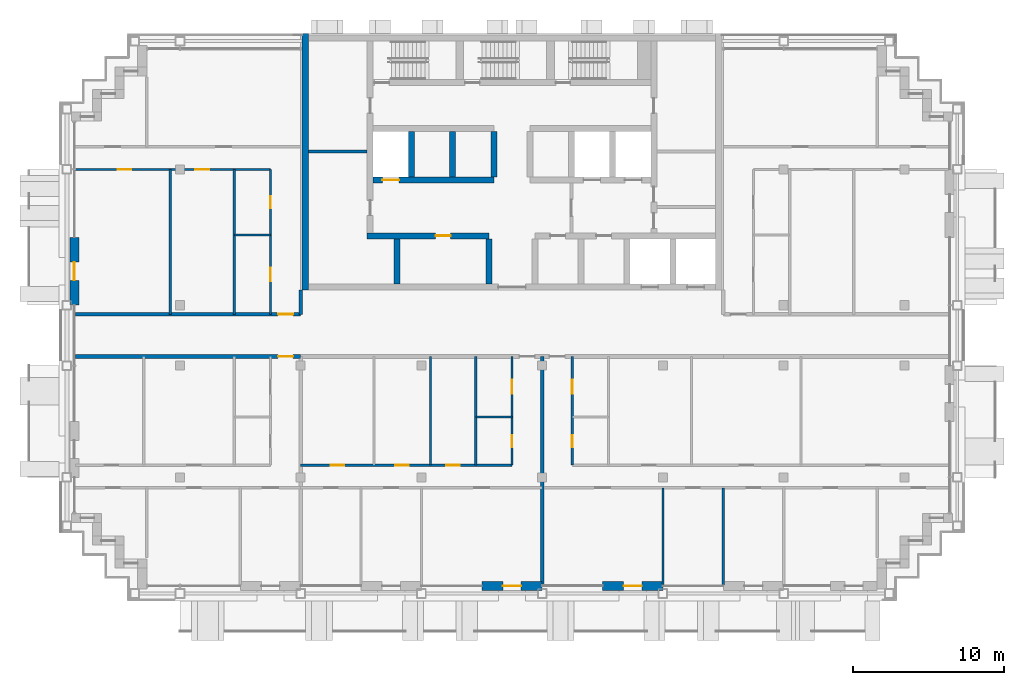
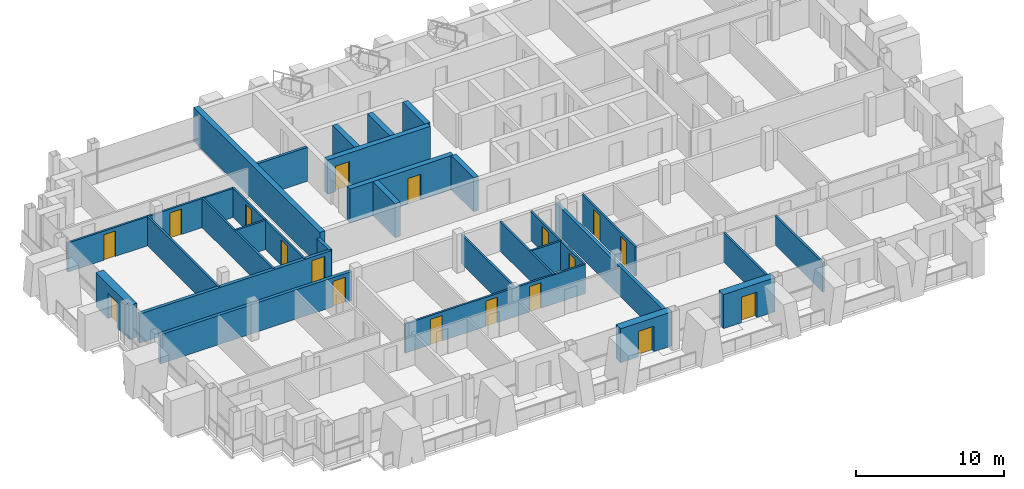
# One storey, part 8 of 15: 29 walls, 18 doors, 18 openings.
"""IFC4 building model written with IfcOpenShell, lengths in metres."""

from ifc_helpers import new_model, si_unit, direction, frame, frame_2d, origin, place, context, subcontext, project, spatial, rectangle, extrude, material, layer, layer_set, type_object, element, fill, save


model = new_model("IFC4")

# Units and contexts
model_context = context("Model", 3, precision=1e-05, world=origin(), true_north=direction((0.0, 1.0)))
body_context = subcontext(model_context, "Body", "Model", "MODEL_VIEW")
ifc_project = project(units=[si_unit("LENGTHUNIT", "METRE"), si_unit("AREAUNIT", "SQUARE_METRE"), si_unit("VOLUMEUNIT", "CUBIC_METRE"), si_unit("PLANEANGLEUNIT", "RADIAN"), si_unit("MASSUNIT", "GRAM", prefix="KILO")], contexts=[model_context])

# Site, building, storey
site_placement = place(None, origin())
site = spatial("IfcSite", under=ifc_project, at=site_placement, CompositionType="ELEMENT")
building_placement = place(site_placement, origin())
building = spatial("IfcBuilding", under=site, at=building_placement, Name="Vidyagriha Tower", CompositionType="ELEMENT")
storey_placement = place(building_placement, frame((0.0, 0.0, 236.39990234375)))
storey = spatial("IfcBuildingStorey", under=building, at=storey_placement, Name="L62", CompositionType="ELEMENT", Elevation=236.39990234375)

# Wall, opening, door
ifc_material_1 = material(Name="Precast concrete C40/50 with brick facing", Category="concrete")
ifc_layer_1 = layer(ifc_material_1, 0.60009765625)
ifc_layer_set_1 = layer_set([ifc_layer_1], Name="Precast concrete C40/50 with brick facing")
wall_type_1 = type_object("IfcWallType", Name="Brick-faced precast wall 600", PredefinedType="STANDARD", material=ifc_layer_set_1)
wall_1_placement = place(storey_placement, frame((-29.0, 6.5, 0.0), z_axis=(0.0, 0.0, 1.0), x_axis=(0.0, -1.0, 0.0)))
wall_1 = element("IfcWall", 1, at=wall_1_placement, inside=storey, type_object=wall_type_1, Name="Brick door bay wall L62 R16.3", PredefinedType="STANDARD", context=body_context, shape_type="SweptSolid", body=[
    extrude(rectangle(XDim=4.5, YDim=0.60009765625, at=frame_2d((2.25, 0.0))), origin(), (0.0, 0.0, 1.0), 2.800048828125),
])
opening_1_placement = place(wall_1_placement, frame((1.64990234375, 0.0, 0.0)))
opening_1 = element("IfcOpeningElement", 2, at=opening_1_placement, cuts=wall_1, Name="Opening D62-56", PredefinedType="OPENING", context=body_context, shape_type="SweptSolid", body=[
    extrude(rectangle(XDim=1.199951171875, YDim=2.10009765625, at=frame_2d((0.60009765625, 1.050048828125))), frame((0.0, 0.31005859375, 0.0), z_axis=(0.0, -1.0, 0.0), x_axis=(1.0, 0.0, 0.0)), (0.0, 0.0, 1.0), 0.6201171875),
])
ifc_material_2 = material(Name="Aluminium framed glazed sliding door", Category="aluminium")
door_type_1 = type_object("IfcDoorType", Name="Balcony sliding door 1200x2100", OperationType="NOTDEFINED", PredefinedType="DOOR", material=ifc_material_2)
door_1_placement = place(opening_1_placement, origin())
door_1 = element("IfcDoor", 3, at=door_1_placement, inside=storey, type_object=door_type_1, Name="Door D62-56", OperationType="SLIDING_TO_LEFT", OverallHeight=2.10009765625, OverallWidth=1.199951171875, PredefinedType="DOOR", context=body_context, shape_type="SweptSolid", body=[
    extrude(rectangle(XDim=1.199951171875, YDim=2.10009765625, at=frame_2d((0.60009765625, 1.050048828125))), frame((0.0, 0.02490234375, 0.0), z_axis=(0.0, -1.0, 0.0), x_axis=(1.0, 0.0, 0.0)), (0.0, 0.0, 1.0), 0.050048828125),
])
fill(opening_1, door_1)

wall_2_placement = place(storey_placement, frame((-2.0, -16.60009765625, 0.0)))
wall_2 = element("IfcWall", 4, at=wall_2_placement, inside=storey, type_object=wall_type_1, Name="Brick door bay wall L62 R23.7", PredefinedType="STANDARD", context=body_context, shape_type="SweptSolid", body=[
    extrude(rectangle(XDim=4.0, YDim=0.60009765625, at=frame_2d((2.0, 0.0))), origin(), (0.0, 0.0, 1.0), 2.800048828125),
])
opening_2_placement = place(wall_2_placement, frame((1.39990234375, 0.0, 0.0)))
opening_2 = element("IfcOpeningElement", 5, at=opening_2_placement, cuts=wall_2, Name="Opening D62-60", PredefinedType="OPENING", context=body_context, shape_type="SweptSolid", body=[
    extrude(rectangle(XDim=1.199951171875, YDim=2.10009765625, at=frame_2d((0.60009765625, 1.050048828125))), frame((0.0, 0.31005859375, 0.0), z_axis=(0.0, -1.0, 0.0), x_axis=(1.0, 0.0, 0.0)), (0.0, 0.0, 1.0), 0.6201171875),
])
door_2_placement = place(opening_2_placement, origin())
door_2 = element("IfcDoor", 6, at=door_2_placement, inside=storey, type_object=door_type_1, Name="Door D62-60", OperationType="SLIDING_TO_LEFT", OverallHeight=2.10009765625, OverallWidth=1.199951171875, PredefinedType="DOOR", context=body_context, shape_type="SweptSolid", body=[
    extrude(rectangle(XDim=1.199951171875, YDim=2.10009765625, at=frame_2d((0.60009765625, 1.050048828125))), frame((0.0, 0.02490234375, 0.0), z_axis=(0.0, -1.0, 0.0), x_axis=(1.0, 0.0, 0.0)), (0.0, 0.0, 1.0), 0.050048828125),
])
fill(opening_2, door_2)

wall_3_placement = place(storey_placement, frame((6.0, -16.60009765625, 0.0)))
wall_3 = element("IfcWall", 7, at=wall_3_placement, inside=storey, type_object=wall_type_1, Name="Brick door bay wall L62 R23.9", PredefinedType="STANDARD", context=body_context, shape_type="SweptSolid", body=[
    extrude(rectangle(XDim=4.0, YDim=0.60009765625, at=frame_2d((2.0, 0.0))), origin(), (0.0, 0.0, 1.0), 2.800048828125),
])
opening_3_placement = place(wall_3_placement, frame((1.39990234375, 0.0, 0.0)))
opening_3 = element("IfcOpeningElement", 8, at=opening_3_placement, cuts=wall_3, Name="Opening D62-61", PredefinedType="OPENING", context=body_context, shape_type="SweptSolid", body=[
    extrude(rectangle(XDim=1.199951171875, YDim=2.10009765625, at=frame_2d((0.60009765625, 1.050048828125))), frame((0.0, 0.31005859375, 0.0), z_axis=(0.0, -1.0, 0.0), x_axis=(1.0, 0.0, 0.0)), (0.0, 0.0, 1.0), 0.6201171875),
])
door_3_placement = place(opening_3_placement, origin())
door_3 = element("IfcDoor", 9, at=door_3_placement, inside=storey, type_object=door_type_1, Name="Door D62-61", OperationType="SLIDING_TO_LEFT", OverallHeight=2.10009765625, OverallWidth=1.199951171875, PredefinedType="DOOR", context=body_context, shape_type="SweptSolid", body=[
    extrude(rectangle(XDim=1.199951171875, YDim=2.10009765625, at=frame_2d((0.60009765625, 1.050048828125))), frame((0.0, 0.02490234375, 0.0), z_axis=(0.0, -1.0, 0.0), x_axis=(1.0, 0.0, 0.0)), (0.0, 0.0, 1.0), 0.050048828125),
])
fill(opening_3, door_3)

# Wall
ifc_material_3 = material(Name="Concrete C60/75", Category="concrete")
ifc_layer_2 = layer(ifc_material_3, 0.39990234375)
ifc_layer_set_2 = layer_set([ifc_layer_2], Name="Concrete C60/75")
wall_type_2 = type_object("IfcWallType", Name="Core shear wall 400 mm", PredefinedType="SHEAR", material=ifc_layer_set_2)
wall_4_placement = place(storey_placement, frame((-13.699951171875, 3.0, 0.0), z_axis=(0.0, 0.0, 1.0), x_axis=(0.0, 1.0, 0.0)))
element("IfcWall", 10, at=wall_4_placement, inside=storey, type_object=wall_type_2, Name="Core west wall", PredefinedType="SHEAR", context=body_context, shape_type="SweptSolid", body=[
    extrude(rectangle(XDim=17.0, YDim=0.39990234375, at=frame_2d((8.5, 0.0))), origin(), (0.0, 0.0, 1.0), 2.800048828125),
])

# Wall, opening, door
wall_5_placement = place(storey_placement, frame((-9.60009765625, 6.60009765625, 0.0)))
wall_5 = element("IfcWall", 11, at=wall_5_placement, inside=storey, type_object=wall_type_2, Name="Core lobby south wall west", PredefinedType="SHEAR", context=body_context, shape_type="SweptSolid", body=[
    extrude(rectangle(XDim=8.077880859375, YDim=0.39990234375, at=frame_2d((4.0390625, 0.0))), origin(), (0.0, 0.0, 1.0), 2.800048828125),
])
opening_4_placement = place(wall_5_placement, frame((4.533203125, 0.0, 0.0)))
opening_4 = element("IfcOpeningElement", 12, at=opening_4_placement, cuts=wall_5, Name="Opening D62-02", PredefinedType="OPENING", context=body_context, shape_type="SweptSolid", body=[
    extrude(rectangle(XDim=1.0, YDim=2.10009765625, at=frame_2d((0.5, 1.050048828125))), frame((0.0, 0.2099609375, 0.0), z_axis=(0.0, -1.0, 0.0), x_axis=(1.0, 0.0, 0.0)), (0.0, 0.0, 1.0), 0.419921875),
])
ifc_material_4 = material(Name="Hollow metal door leaf")
door_type_2 = type_object("IfcDoorType", Name="Core room door 1000 x 2100 mm EI 60", OperationType="NOTDEFINED", PredefinedType="DOOR", material=ifc_material_4)
door_4_placement = place(opening_4_placement, origin())
door_4 = element("IfcDoor", 13, at=door_4_placement, inside=storey, type_object=door_type_2, Name="Door Communications Room 62.01", OperationType="SINGLE_SWING_RIGHT", OverallHeight=2.10009765625, OverallWidth=1.0, PredefinedType="DOOR", context=body_context, shape_type="SweptSolid", body=[
    extrude(rectangle(XDim=1.0, YDim=2.10009765625, at=frame_2d((0.5, 1.050048828125))), frame((0.0, 0.02490234375, 0.0), z_axis=(0.0, -1.0, 0.0), x_axis=(1.0, 0.0, 0.0)), (0.0, 0.0, 1.0), 0.050048828125),
])
fill(opening_4, door_4)

# Walls
for number, where, z_axis, x_axis, name in (
    (14, (-7.611083984375, 3.39990234375, 0.0), (0.0, 0.0, 1.0), (0.0, 1.0, 0.0), "Core bay wall S2"),
    (15, (-1.522216796875, 3.39990234375, 0.0), (0.0, 0.0, 1.0), (0.0, 1.0, 0.0), "Core bay wall S4"),
):
    element("IfcWall", number, at=place(storey_placement, frame(where, z_axis=z_axis, x_axis=x_axis)), inside=storey, type_object=wall_type_2, Name=name, PredefinedType="SHEAR", context=body_context, shape_type="SweptSolid", body=[
        extrude(rectangle(XDim=3.0, YDim=0.39990234375, at=frame_2d((1.5, 0.0))), origin(), (0.0, 0.0, 1.0), 2.800048828125),
    ])

# Wall, opening, door
wall_6_placement = place(storey_placement, frame((-9.199951171875, 10.300048828125, 0.0)))
wall_6 = element("IfcWall", 16, at=wall_6_placement, inside=storey, type_object=wall_type_2, Name="Core row N front wall", PredefinedType="SHEAR", context=body_context, shape_type="SweptSolid", body=[
    extrude(rectangle(XDim=8.0, YDim=0.39990234375, at=frame_2d((4.0, 0.0))), origin(), (0.0, 0.0, 1.0), 2.800048828125),
])
opening_5_placement = place(wall_6_placement, frame((0.61669921875, 0.0, 0.0)))
opening_5 = element("IfcOpeningElement", 17, at=opening_5_placement, cuts=wall_6, Name="Opening LD62-03", PredefinedType="OPENING", context=body_context, shape_type="SweptSolid", body=[
    extrude(rectangle(XDim=1.10009765625, YDim=2.10009765625, at=frame_2d((0.550048828125, 1.050048828125))), frame((0.0, 0.2099609375, 0.0), z_axis=(0.0, -1.0, 0.0), x_axis=(1.0, 0.0, 0.0)), (0.0, 0.0, 1.0), 0.419921875),
])
ifc_material_5 = material(Name="Stainless steel sliding door panel", Category="steel")
door_type_3 = type_object("IfcDoorType", Name="Lift landing door 1100 x 2100 mm EI 90", OperationType="NOTDEFINED", PredefinedType="DOOR", material=ifc_material_5)
door_5_placement = place(opening_5_placement, origin())
door_5 = element("IfcDoor", 18, at=door_5_placement, inside=storey, type_object=door_type_3, Name="Landing door MR3 L62", OperationType="SLIDING_TO_LEFT", OverallHeight=2.10009765625, OverallWidth=1.10009765625, PredefinedType="DOOR", context=body_context, shape_type="SweptSolid", body=[
    extrude(rectangle(XDim=1.10009765625, YDim=2.10009765625, at=frame_2d((0.550048828125, 1.050048828125))), frame((0.0, 0.02490234375, 0.0), z_axis=(0.0, -1.0, 0.0), x_axis=(1.0, 0.0, 0.0)), (0.0, 0.0, 1.0), 0.050048828125),
])
fill(opening_5, door_5)

# Walls
for number, where, z_axis, x_axis, name in (
    (19, (-6.666748046875, 10.5, 0.0), (0.0, 0.0, 1.0), (0.0, 1.0, 0.0), "Core bay wall N1"),
    (20, (-3.933349609375, 10.5, 0.0), (0.0, 0.0, 1.0), (0.0, 1.0, 0.0), "Core bay wall N2"),
    (21, (-1.199951171875, 10.5, 0.0), (0.0, 0.0, 1.0), (0.0, 1.0, 0.0), "Core bay wall N3"),
):
    element("IfcWall", number, at=place(storey_placement, frame(where, z_axis=z_axis, x_axis=x_axis)), inside=storey, type_object=wall_type_2, Name=name, PredefinedType="SHEAR", context=body_context, shape_type="SweptSolid", body=[
        extrude(rectangle(XDim=3.0, YDim=0.39990234375, at=frame_2d((1.5, 0.0))), origin(), (0.0, 0.0, 1.0), 2.800048828125),
    ])

# Wall, opening, door
ifc_material_6 = material(Name="Fired clay brick masonry", Category="masonry")
ifc_layer_3 = layer(ifc_material_6, 0.25)
ifc_layer_set_3 = layer_set([ifc_layer_3], Name="Fired clay brick masonry")
wall_type_3 = type_object("IfcWallType", Name="Fired clay brick corridor wall 250", PredefinedType="PARTITIONING", material=ifc_layer_set_3)
wall_7_placement = place(storey_placement, frame((-14.0, -1.39990234375, 0.0), z_axis=(0.0, 0.0, 1.0), x_axis=(-1.0, 0.0, 0.0)))
wall_7 = element("IfcWall", 22, at=wall_7_placement, inside=storey, type_object=wall_type_3, Name="Wall all-L62-w059", PredefinedType="PARTITIONING", context=body_context, shape_type="SweptSolid", body=[
    extrude(rectangle(XDim=14.919921875, YDim=0.25, at=frame_2d((7.4599609375, 0.0))), origin(), (0.0, 0.0, 1.0), 2.400146484375),
])
opening_6_placement = place(wall_7_placement, frame((0.5, 0.0, 0.0)))
opening_6 = element("IfcOpeningElement", 23, at=opening_6_placement, cuts=wall_7, Name="Opening D62-21", PredefinedType="OPENING", context=body_context, shape_type="SweptSolid", body=[
    extrude(rectangle(XDim=1.0, YDim=2.10009765625, at=frame_2d((0.5, 1.050048828125))), frame((0.0, 0.135009765625, 0.0), z_axis=(0.0, -1.0, 0.0), x_axis=(1.0, 0.0, 0.0)), (0.0, 0.0, 1.0), 0.27001953125),
])
ifc_material_7 = material(Name="Fire-rated timber door leaf EI 60", Category="wood")
door_type_4 = type_object("IfcDoorType", Name="Flat entrance fire door 1000x2100", OperationType="NOTDEFINED", PredefinedType="DOOR", material=ifc_material_7)
door_6_placement = place(opening_6_placement, origin())
door_6 = element("IfcDoor", 24, at=door_6_placement, inside=storey, type_object=door_type_4, Name="Door D62-21", OperationType="SINGLE_SWING_LEFT", OverallHeight=2.10009765625, OverallWidth=1.0, PredefinedType="DOOR", context=body_context, shape_type="SweptSolid", body=[
    extrude(rectangle(XDim=1.0, YDim=2.10009765625, at=frame_2d((0.5, 1.050048828125))), frame((0.0, 0.02490234375, 0.0), z_axis=(0.0, -1.0, 0.0), x_axis=(1.0, 0.0, 0.0)), (0.0, 0.0, 1.0), 0.050048828125),
])
fill(opening_6, door_6)

wall_8_placement = place(storey_placement, frame((-28.919921875, 1.39990234375, 0.0)))
wall_8 = element("IfcWall", 25, at=wall_8_placement, inside=storey, type_object=wall_type_3, Name="Wall all-L62-w075", PredefinedType="PARTITIONING", context=body_context, shape_type="SweptSolid", body=[
    extrude(rectangle(XDim=14.919921875, YDim=0.25, at=frame_2d((7.4599609375, 0.0))), origin(), (0.0, 0.0, 1.0), 2.400146484375),
])
opening_7_placement = place(wall_8_placement, frame((13.419921875, 0.0, 0.0)))
opening_7 = element("IfcOpeningElement", 26, at=opening_7_placement, cuts=wall_8, Name="Opening D62-48", PredefinedType="OPENING", context=body_context, shape_type="SweptSolid", body=[
    extrude(rectangle(XDim=1.0, YDim=2.10009765625, at=frame_2d((0.5, 1.050048828125))), frame((0.0, 0.135009765625, 0.0), z_axis=(0.0, -1.0, 0.0), x_axis=(1.0, 0.0, 0.0)), (0.0, 0.0, 1.0), 0.27001953125),
])
door_7_placement = place(opening_7_placement, origin())
door_7 = element("IfcDoor", 27, at=door_7_placement, inside=storey, type_object=door_type_4, Name="Door D62-48", OperationType="SINGLE_SWING_RIGHT", OverallHeight=2.10009765625, OverallWidth=1.0, PredefinedType="DOOR", context=body_context, shape_type="SweptSolid", body=[
    extrude(rectangle(XDim=1.0, YDim=2.10009765625, at=frame_2d((0.5, 1.050048828125))), frame((0.0, 0.02490234375, 0.0), z_axis=(0.0, -1.0, 0.0), x_axis=(1.0, 0.0, 0.0)), (0.0, 0.0, 1.0), 0.050048828125),
])
fill(opening_7, door_7)

# Walls
wall_9_placement = place(storey_placement, frame((-14.0, 3.0, 0.0), z_axis=(0.0, 0.0, 1.0), x_axis=(0.0, -1.0, 0.0)))
element("IfcWall", 28, at=wall_9_placement, inside=storey, type_object=wall_type_3, Name="Wall all-L62-w092", PredefinedType="PARTITIONING", context=body_context, shape_type="SweptSolid", body=[
    extrude(rectangle(XDim=1.60009765625, YDim=0.25, at=frame_2d((0.800048828125, 0.0))), origin(), (0.0, 0.0, 1.0), 2.400146484375),
])
ifc_material_8 = material(Name="Fired clay brick masonry", Category="masonry")
ifc_layer_4 = layer(ifc_material_8, 0.25)
ifc_layer_set_4 = layer_set([ifc_layer_4], Name="Fired clay brick masonry")
wall_type_4 = type_object("IfcWallType", Name="Fired clay brick demising wall 250", PredefinedType="PARTITIONING", material=ifc_layer_set_4)
wall_10_placement = place(storey_placement, frame((2.0, -1.39990234375, 0.0), z_axis=(0.0, 0.0, 1.0), x_axis=(0.0, -1.0, 0.0)))
element("IfcWall", 29, at=wall_10_placement, inside=storey, type_object=wall_type_4, Name="Wall all-L62-w058", PredefinedType="PARTITIONING", context=body_context, shape_type="SweptSolid", body=[
    extrude(rectangle(XDim=15.110107421875, YDim=0.25, at=frame_2d((7.55517578125, 0.0))), origin(), (0.0, 0.0, 1.0), 2.400146484375),
])
ifc_material_9 = material(Name="Gypsum board partition")
ifc_layer_5 = layer(ifc_material_9, 0.14990234375)
ifc_layer_set_5 = layer_set([ifc_layer_5], Name="Gypsum board partition")
wall_type_5 = type_object("IfcWallType", Name="Gypsum board partition 150", PredefinedType="PARTITIONING", material=ifc_layer_set_5)
wall_11_placement = place(storey_placement, frame((0.0, -5.39990234375, 0.0), z_axis=(0.0, 0.0, 1.0), x_axis=(-1.0, 0.0, 0.0)))
element("IfcWall", 30, at=wall_11_placement, inside=storey, type_object=wall_type_5, Name="Wall all-L62-w020", PredefinedType="PARTITIONING", context=body_context, shape_type="SweptSolid", body=[
    extrude(rectangle(XDim=2.39990234375, YDim=0.14990234375, at=frame_2d((1.199951171875, 0.0))), origin(), (0.0, 0.0, 1.0), 2.400146484375),
])
for number, where, z_axis, x_axis, name in (
    (31, (-2.39990234375, -8.60009765625, 0.0), (0.0, 0.0, 1.0), (0.0, 1.0, 0.0), "Wall all-L62-w021"),
    (32, (-5.39990234375, -8.60009765625, 0.0), (0.0, 0.0, 1.0), (0.0, 1.0, 0.0), "Wall all-L62-w022"),
):
    element("IfcWall", number, at=place(storey_placement, frame(where, z_axis=z_axis, x_axis=x_axis)), inside=storey, type_object=wall_type_5, Name=name, PredefinedType="PARTITIONING", context=body_context, shape_type="SweptSolid", body=[
        extrude(rectangle(XDim=7.2001953125, YDim=0.14990234375, at=frame_2d((3.60009765625, 0.0))), origin(), (0.0, 0.0, 1.0), 2.400146484375),
    ])

# Wall, openings, doors
wall_12_placement = place(storey_placement, frame((-14.0, -8.60009765625, 0.0)))
wall_12 = element("IfcWall", 33, at=wall_12_placement, inside=storey, type_object=wall_type_5, Name="Wall all-L62-w024", PredefinedType="PARTITIONING", context=body_context, shape_type="SweptSolid", body=[
    extrude(rectangle(XDim=14.0, YDim=0.14990234375, at=frame_2d((7.0, 0.0))), origin(), (0.0, 0.0, 1.0), 2.400146484375),
])
opening_8_placement = place(wall_12_placement, frame((9.64990234375, 0.0, 0.0)))
opening_8 = element("IfcOpeningElement", 34, at=opening_8_placement, cuts=wall_12, Name="Opening D62-24", PredefinedType="OPENING", context=body_context, shape_type="SweptSolid", body=[
    extrude(rectangle(XDim=0.89990234375, YDim=2.10009765625, at=frame_2d((0.449951171875, 1.050048828125))), frame((0.0, 0.0849609375, 0.0), z_axis=(0.0, -1.0, 0.0), x_axis=(1.0, 0.0, 0.0)), (0.0, 0.0, 1.0), 0.169921875),
])
opening_9_placement = place(wall_12_placement, frame((6.27490234375, 0.0, 0.0)))
opening_9 = element("IfcOpeningElement", 35, at=opening_9_placement, cuts=wall_12, Name="Opening D62-25", PredefinedType="OPENING", context=body_context, shape_type="SweptSolid", body=[
    extrude(rectangle(XDim=0.89990234375, YDim=2.10009765625, at=frame_2d((0.449951171875, 1.050048828125))), frame((0.0, 0.0849609375, 0.0), z_axis=(0.0, -1.0, 0.0), x_axis=(1.0, 0.0, 0.0)), (0.0, 0.0, 1.0), 0.169921875),
])
opening_10_placement = place(wall_12_placement, frame((1.97509765625, 0.0, 0.0)))
opening_10 = element("IfcOpeningElement", 36, at=opening_10_placement, cuts=wall_12, Name="Opening D62-26", PredefinedType="OPENING", context=body_context, shape_type="SweptSolid", body=[
    extrude(rectangle(XDim=0.89990234375, YDim=2.10009765625, at=frame_2d((0.449951171875, 1.050048828125))), frame((0.0, 0.0849609375, 0.0), z_axis=(0.0, -1.0, 0.0), x_axis=(1.0, 0.0, 0.0)), (0.0, 0.0, 1.0), 0.169921875),
])
ifc_material_10 = material(Name="Timber door leaf", Category="wood")
door_type_5 = type_object("IfcDoorType", Name="Room door 900x2100", OperationType="NOTDEFINED", PredefinedType="DOOR", material=ifc_material_10)
door_8_placement = place(opening_8_placement, origin())
door_8 = element("IfcDoor", 37, at=door_8_placement, inside=storey, type_object=door_type_5, Name="Door D62-24", OperationType="SINGLE_SWING_LEFT", OverallHeight=2.10009765625, OverallWidth=0.89990234375, PredefinedType="DOOR", context=body_context, shape_type="SweptSolid", body=[
    extrude(rectangle(XDim=0.89990234375, YDim=2.10009765625, at=frame_2d((0.449951171875, 1.050048828125))), frame((0.0, 0.02490234375, 0.0), z_axis=(0.0, -1.0, 0.0), x_axis=(1.0, 0.0, 0.0)), (0.0, 0.0, 1.0), 0.050048828125),
])
fill(opening_8, door_8)
door_9_placement = place(opening_9_placement, origin())
door_9 = element("IfcDoor", 38, at=door_9_placement, inside=storey, type_object=door_type_5, Name="Door D62-25", OperationType="SINGLE_SWING_RIGHT", OverallHeight=2.10009765625, OverallWidth=0.89990234375, PredefinedType="DOOR", context=body_context, shape_type="SweptSolid", body=[
    extrude(rectangle(XDim=0.89990234375, YDim=2.10009765625, at=frame_2d((0.449951171875, 1.050048828125))), frame((0.0, 0.02490234375, 0.0), z_axis=(0.0, -1.0, 0.0), x_axis=(1.0, 0.0, 0.0)), (0.0, 0.0, 1.0), 0.050048828125),
])
fill(opening_9, door_9)
door_10_placement = place(opening_10_placement, origin())
door_10 = element("IfcDoor", 39, at=door_10_placement, inside=storey, type_object=door_type_5, Name="Door D62-26", OperationType="SINGLE_SWING_RIGHT", OverallHeight=2.10009765625, OverallWidth=0.89990234375, PredefinedType="DOOR", context=body_context, shape_type="SweptSolid", body=[
    extrude(rectangle(XDim=0.89990234375, YDim=2.10009765625, at=frame_2d((0.449951171875, 1.050048828125))), frame((0.0, 0.02490234375, 0.0), z_axis=(0.0, -1.0, 0.0), x_axis=(1.0, 0.0, 0.0)), (0.0, 0.0, 1.0), 0.050048828125),
])
fill(opening_10, door_10)

# Walls
wall_13_placement = place(storey_placement, frame((10.0, -10.10009765625, 0.0), z_axis=(0.0, 0.0, 1.0), x_axis=(0.0, -1.0, 0.0)))
element("IfcWall", 40, at=wall_13_placement, inside=storey, type_object=wall_type_5, Name="Wall all-L62-w053", PredefinedType="PARTITIONING", context=body_context, shape_type="SweptSolid", body=[
    extrude(rectangle(XDim=6.409912109375, YDim=0.14990234375, at=frame_2d((3.205078125, 0.0))), origin(), (0.0, 0.0, 1.0), 2.400146484375),
])
wall_14_placement = place(storey_placement, frame((14.0, -10.10009765625, 0.0), z_axis=(0.0, 0.0, 1.0), x_axis=(0.0, -1.0, 0.0)))
element("IfcWall", 41, at=wall_14_placement, inside=storey, type_object=wall_type_5, Name="Wall all-L62-w054", PredefinedType="PARTITIONING", context=body_context, shape_type="SweptSolid", body=[
    extrude(rectangle(XDim=6.4208984375, YDim=0.14990234375, at=frame_2d((3.21044921875, 0.0))), origin(), (0.0, 0.0, 1.0), 2.400146484375),
])
wall_15_placement = place(storey_placement, frame((-18.39990234375, 6.64990234375, 0.0)))
element("IfcWall", 42, at=wall_15_placement, inside=storey, type_object=wall_type_5, Name="Wall all-L62-w064", PredefinedType="PARTITIONING", context=body_context, shape_type="SweptSolid", body=[
    extrude(rectangle(XDim=2.39990234375, YDim=0.14990234375, at=frame_2d((1.199951171875, 0.0))), origin(), (0.0, 0.0, 1.0), 2.400146484375),
])
for number, where, z_axis, x_axis, name in (
    (43, (-18.39990234375, 1.39990234375, 0.0), (0.0, 0.0, 1.0), (0.0, 1.0, 0.0), "Wall all-L62-w065"),
    (44, (-22.64990234375, 1.39990234375, 0.0), (0.0, 0.0, 1.0), (0.0, 1.0, 0.0), "Wall all-L62-w066"),
):
    element("IfcWall", number, at=place(storey_placement, frame(where, z_axis=z_axis, x_axis=x_axis)), inside=storey, type_object=wall_type_5, Name=name, PredefinedType="PARTITIONING", context=body_context, shape_type="SweptSolid", body=[
        extrude(rectangle(XDim=9.60009765625, YDim=0.14990234375, at=frame_2d((4.800048828125, 0.0))), origin(), (0.0, 0.0, 1.0), 2.400146484375),
    ])

# Wall, openings, doors
wall_16_placement = place(storey_placement, frame((-16.0, 11.0, 0.0), z_axis=(0.0, 0.0, 1.0), x_axis=(-1.0, 0.0, 0.0)))
wall_16 = element("IfcWall", 45, at=wall_16_placement, inside=storey, type_object=wall_type_5, Name="Wall all-L62-w067", PredefinedType="PARTITIONING", context=body_context, shape_type="SweptSolid", body=[
    extrude(rectangle(XDim=12.919921875, YDim=0.14990234375, at=frame_2d((6.4599609375, 0.0))), origin(), (0.0, 0.0, 1.0), 2.400146484375),
])
opening_11_placement = place(wall_16_placement, frame((4.074951171875, 0.0, 0.0)))
opening_11 = element("IfcOpeningElement", 46, at=opening_11_placement, cuts=wall_16, Name="Opening D62-44", PredefinedType="OPENING", context=body_context, shape_type="SweptSolid", body=[
    extrude(rectangle(XDim=0.89990234375, YDim=2.10009765625, at=frame_2d((0.449951171875, 1.050048828125))), frame((0.0, 0.0849609375, 0.0), z_axis=(0.0, -1.0, 0.0), x_axis=(1.0, 0.0, 0.0)), (0.0, 0.0, 1.0), 0.169921875),
])
opening_12_placement = place(wall_16_placement, frame((9.22509765625, 0.0, 0.0)))
opening_12 = element("IfcOpeningElement", 47, at=opening_12_placement, cuts=wall_16, Name="Opening D62-45", PredefinedType="OPENING", context=body_context, shape_type="SweptSolid", body=[
    extrude(rectangle(XDim=0.89990234375, YDim=2.10009765625, at=frame_2d((0.449951171875, 1.050048828125))), frame((0.0, 0.0849609375, 0.0), z_axis=(0.0, -1.0, 0.0), x_axis=(1.0, 0.0, 0.0)), (0.0, 0.0, 1.0), 0.169921875),
])
door_11_placement = place(opening_11_placement, origin())
door_11 = element("IfcDoor", 48, at=door_11_placement, inside=storey, type_object=door_type_5, Name="Door D62-44", OperationType="SINGLE_SWING_RIGHT", OverallHeight=2.10009765625, OverallWidth=0.89990234375, PredefinedType="DOOR", context=body_context, shape_type="SweptSolid", body=[
    extrude(rectangle(XDim=0.89990234375, YDim=2.10009765625, at=frame_2d((0.449951171875, 1.050048828125))), frame((0.0, 0.02490234375, 0.0), z_axis=(0.0, -1.0, 0.0), x_axis=(1.0, 0.0, 0.0)), (0.0, 0.0, 1.0), 0.050048828125),
])
fill(opening_11, door_11)
door_12_placement = place(opening_12_placement, origin())
door_12 = element("IfcDoor", 49, at=door_12_placement, inside=storey, type_object=door_type_5, Name="Door D62-45", OperationType="SINGLE_SWING_RIGHT", OverallHeight=2.10009765625, OverallWidth=0.89990234375, PredefinedType="DOOR", context=body_context, shape_type="SweptSolid", body=[
    extrude(rectangle(XDim=0.89990234375, YDim=2.10009765625, at=frame_2d((0.449951171875, 1.050048828125))), frame((0.0, 0.02490234375, 0.0), z_axis=(0.0, -1.0, 0.0), x_axis=(1.0, 0.0, 0.0)), (0.0, 0.0, 1.0), 0.050048828125),
])
fill(opening_12, door_12)

ifc_material_11 = material(Name="Moisture resistant gypsum board partition")
ifc_layer_6 = layer(ifc_material_11, 0.14990234375)
ifc_layer_set_6 = layer_set([ifc_layer_6], Name="Moisture resistant gypsum board partition")
wall_type_6 = type_object("IfcWallType", Name="Gypsum board wet-area partition 150", PredefinedType="PARTITIONING", material=ifc_layer_set_6)
wall_17_placement = place(storey_placement, frame((0.0, -8.60009765625, 0.0), z_axis=(0.0, 0.0, 1.0), x_axis=(0.0, 1.0, 0.0)))
wall_17 = element("IfcWall", 50, at=wall_17_placement, inside=storey, type_object=wall_type_6, Name="Wall all-L62-w017", PredefinedType="PARTITIONING", context=body_context, shape_type="SweptSolid", body=[
    extrude(rectangle(XDim=7.2001953125, YDim=0.14990234375, at=frame_2d((3.60009765625, 0.0))), origin(), (0.0, 0.0, 1.0), 2.400146484375),
])
opening_13_placement = place(wall_17_placement, frame((4.75, 0.0, 0.0)))
opening_13 = element("IfcOpeningElement", 51, at=opening_13_placement, cuts=wall_17, Name="Opening D62-22", PredefinedType="OPENING", context=body_context, shape_type="SweptSolid", body=[
    extrude(rectangle(XDim=0.89990234375, YDim=2.10009765625, at=frame_2d((0.449951171875, 1.050048828125))), frame((0.0, 0.0849609375, 0.0), z_axis=(0.0, -1.0, 0.0), x_axis=(1.0, 0.0, 0.0)), (0.0, 0.0, 1.0), 0.169921875),
])
opening_14_placement = place(wall_17_placement, frame((1.199951171875, 0.0, 0.0)))
opening_14 = element("IfcOpeningElement", 52, at=opening_14_placement, cuts=wall_17, Name="Opening D62-23", PredefinedType="OPENING", context=body_context, shape_type="SweptSolid", body=[
    extrude(rectangle(XDim=0.800048828125, YDim=2.10009765625, at=frame_2d((0.39990234375, 1.050048828125))), frame((0.0, 0.0849609375, 0.0), z_axis=(0.0, -1.0, 0.0), x_axis=(1.0, 0.0, 0.0)), (0.0, 0.0, 1.0), 0.169921875),
])
ifc_material_12 = material(Name="Timber door leaf", Category="wood")
door_type_6 = type_object("IfcDoorType", Name="Bathroom door 800x2100", OperationType="NOTDEFINED", PredefinedType="DOOR", material=ifc_material_12)
door_13_placement = place(opening_14_placement, origin())
door_13 = element("IfcDoor", 53, at=door_13_placement, inside=storey, type_object=door_type_6, Name="Door D62-23", OperationType="SINGLE_SWING_RIGHT", OverallHeight=2.10009765625, OverallWidth=0.800048828125, PredefinedType="DOOR", context=body_context, shape_type="SweptSolid", body=[
    extrude(rectangle(XDim=0.800048828125, YDim=2.10009765625, at=frame_2d((0.39990234375, 1.050048828125))), frame((0.0, 0.02490234375, 0.0), z_axis=(0.0, -1.0, 0.0), x_axis=(1.0, 0.0, 0.0)), (0.0, 0.0, 1.0), 0.050048828125),
])
fill(opening_14, door_13)
ifc_material_13 = material(Name="Timber door leaf", Category="wood")
door_type_7 = type_object("IfcDoorType", Name="Kitchen door 900x2100", OperationType="NOTDEFINED", PredefinedType="DOOR", material=ifc_material_13)
door_14_placement = place(opening_13_placement, origin())
door_14 = element("IfcDoor", 54, at=door_14_placement, inside=storey, type_object=door_type_7, Name="Door D62-22", OperationType="SINGLE_SWING_LEFT", OverallHeight=2.10009765625, OverallWidth=0.89990234375, PredefinedType="DOOR", context=body_context, shape_type="SweptSolid", body=[
    extrude(rectangle(XDim=0.89990234375, YDim=2.10009765625, at=frame_2d((0.449951171875, 1.050048828125))), frame((0.0, 0.02490234375, 0.0), z_axis=(0.0, -1.0, 0.0), x_axis=(1.0, 0.0, 0.0)), (0.0, 0.0, 1.0), 0.050048828125),
])
fill(opening_13, door_14)

wall_18_placement = place(storey_placement, frame((4.0, -1.39990234375, 0.0), z_axis=(0.0, 0.0, 1.0), x_axis=(0.0, -1.0, 0.0)))
wall_18 = element("IfcWall", 55, at=wall_18_placement, inside=storey, type_object=wall_type_6, Name="Wall all-L62-w036", PredefinedType="PARTITIONING", context=body_context, shape_type="SweptSolid", body=[
    extrude(rectangle(XDim=7.2001953125, YDim=0.14990234375, at=frame_2d((3.60009765625, 0.0))), origin(), (0.0, 0.0, 1.0), 2.400146484375),
])
opening_15_placement = place(wall_18_placement, frame((1.550048828125, 0.0, 0.0)))
opening_15 = element("IfcOpeningElement", 56, at=opening_15_placement, cuts=wall_18, Name="Opening D62-31", PredefinedType="OPENING", context=body_context, shape_type="SweptSolid", body=[
    extrude(rectangle(XDim=0.89990234375, YDim=2.10009765625, at=frame_2d((0.449951171875, 1.050048828125))), frame((0.0, 0.0849609375, 0.0), z_axis=(0.0, -1.0, 0.0), x_axis=(1.0, 0.0, 0.0)), (0.0, 0.0, 1.0), 0.169921875),
])
opening_16_placement = place(wall_18_placement, frame((5.199951171875, 0.0, 0.0)))
opening_16 = element("IfcOpeningElement", 57, at=opening_16_placement, cuts=wall_18, Name="Opening D62-32", PredefinedType="OPENING", context=body_context, shape_type="SweptSolid", body=[
    extrude(rectangle(XDim=0.800048828125, YDim=2.10009765625, at=frame_2d((0.39990234375, 1.050048828125))), frame((0.0, 0.0849609375, 0.0), z_axis=(0.0, -1.0, 0.0), x_axis=(1.0, 0.0, 0.0)), (0.0, 0.0, 1.0), 0.169921875),
])
door_15_placement = place(opening_16_placement, origin())
door_15 = element("IfcDoor", 58, at=door_15_placement, inside=storey, type_object=door_type_6, Name="Door D62-32", OperationType="SINGLE_SWING_RIGHT", OverallHeight=2.10009765625, OverallWidth=0.800048828125, PredefinedType="DOOR", context=body_context, shape_type="SweptSolid", body=[
    extrude(rectangle(XDim=0.800048828125, YDim=2.10009765625, at=frame_2d((0.39990234375, 1.050048828125))), frame((0.0, 0.02490234375, 0.0), z_axis=(0.0, -1.0, 0.0), x_axis=(1.0, 0.0, 0.0)), (0.0, 0.0, 1.0), 0.050048828125),
])
fill(opening_16, door_15)
door_16_placement = place(opening_15_placement, origin())
door_16 = element("IfcDoor", 59, at=door_16_placement, inside=storey, type_object=door_type_7, Name="Door D62-31", OperationType="SINGLE_SWING_LEFT", OverallHeight=2.10009765625, OverallWidth=0.89990234375, PredefinedType="DOOR", context=body_context, shape_type="SweptSolid", body=[
    extrude(rectangle(XDim=0.89990234375, YDim=2.10009765625, at=frame_2d((0.449951171875, 1.050048828125))), frame((0.0, 0.02490234375, 0.0), z_axis=(0.0, -1.0, 0.0), x_axis=(1.0, 0.0, 0.0)), (0.0, 0.0, 1.0), 0.050048828125),
])
fill(opening_15, door_16)

wall_19_placement = place(storey_placement, frame((-16.0, 1.39990234375, 0.0), z_axis=(0.0, 0.0, 1.0), x_axis=(0.0, 1.0, 0.0)))
wall_19 = element("IfcWall", 60, at=wall_19_placement, inside=storey, type_object=wall_type_6, Name="Wall all-L62-w061", PredefinedType="PARTITIONING", context=body_context, shape_type="SweptSolid", body=[
    extrude(rectangle(XDim=9.60009765625, YDim=0.14990234375, at=frame_2d((4.800048828125, 0.0))), origin(), (0.0, 0.0, 1.0), 2.400146484375),
])
opening_17_placement = place(wall_19_placement, frame((2.175048828125, 0.0, 0.0)))
opening_17 = element("IfcOpeningElement", 61, at=opening_17_placement, cuts=wall_19, Name="Opening D62-42", PredefinedType="OPENING", context=body_context, shape_type="SweptSolid", body=[
    extrude(rectangle(XDim=0.89990234375, YDim=2.10009765625, at=frame_2d((0.449951171875, 1.050048828125))), frame((0.0, 0.0849609375, 0.0), z_axis=(0.0, -1.0, 0.0), x_axis=(1.0, 0.0, 0.0)), (0.0, 0.0, 1.0), 0.169921875),
])
opening_18_placement = place(wall_19_placement, frame((7.02490234375, 0.0, 0.0)))
opening_18 = element("IfcOpeningElement", 62, at=opening_18_placement, cuts=wall_19, Name="Opening D62-43", PredefinedType="OPENING", context=body_context, shape_type="SweptSolid", body=[
    extrude(rectangle(XDim=0.800048828125, YDim=2.10009765625, at=frame_2d((0.39990234375, 1.050048828125))), frame((0.0, 0.0849609375, 0.0), z_axis=(0.0, -1.0, 0.0), x_axis=(1.0, 0.0, 0.0)), (0.0, 0.0, 1.0), 0.169921875),
])
door_17_placement = place(opening_18_placement, origin())
door_17 = element("IfcDoor", 63, at=door_17_placement, inside=storey, type_object=door_type_6, Name="Door D62-43", OperationType="SINGLE_SWING_LEFT", OverallHeight=2.10009765625, OverallWidth=0.800048828125, PredefinedType="DOOR", context=body_context, shape_type="SweptSolid", body=[
    extrude(rectangle(XDim=0.800048828125, YDim=2.10009765625, at=frame_2d((0.39990234375, 1.050048828125))), frame((0.0, 0.02490234375, 0.0), z_axis=(0.0, -1.0, 0.0), x_axis=(1.0, 0.0, 0.0)), (0.0, 0.0, 1.0), 0.050048828125),
])
fill(opening_18, door_17)
door_18_placement = place(opening_17_placement, origin())
door_18 = element("IfcDoor", 64, at=door_18_placement, inside=storey, type_object=door_type_7, Name="Door D62-42", OperationType="SINGLE_SWING_RIGHT", OverallHeight=2.10009765625, OverallWidth=0.89990234375, PredefinedType="DOOR", context=body_context, shape_type="SweptSolid", body=[
    extrude(rectangle(XDim=0.89990234375, YDim=2.10009765625, at=frame_2d((0.449951171875, 1.050048828125))), frame((0.0, 0.02490234375, 0.0), z_axis=(0.0, -1.0, 0.0), x_axis=(1.0, 0.0, 0.0)), (0.0, 0.0, 1.0), 0.050048828125),
])
fill(opening_17, door_18)

# Wall
ifc_material_14 = material(Name="Blockwork 15 MPa", Category="masonry")
ifc_layer_7 = layer(ifc_material_14, 0.199951171875)
ifc_layer_set_7 = layer_set([ifc_layer_7], Name="Blockwork 15 MPa")
wall_type_7 = type_object("IfcWallType", Name="Service room partition 200 mm", PredefinedType="PARTITIONING", material=ifc_layer_set_7)
wall_20_placement = place(storey_placement, frame((-13.5, 12.199951171875, 0.0)))
element("IfcWall", 65, at=wall_20_placement, inside=storey, type_object=wall_type_7, Name="Core room partition W1", PredefinedType="PARTITIONING", context=body_context, shape_type="SweptSolid", body=[
    extrude(rectangle(XDim=3.89990234375, YDim=0.199951171875, at=frame_2d((1.949951171875, 0.0))), origin(), (0.0, 0.0, 1.0), 2.800048828125),
])

save(model, "model.ifc")
